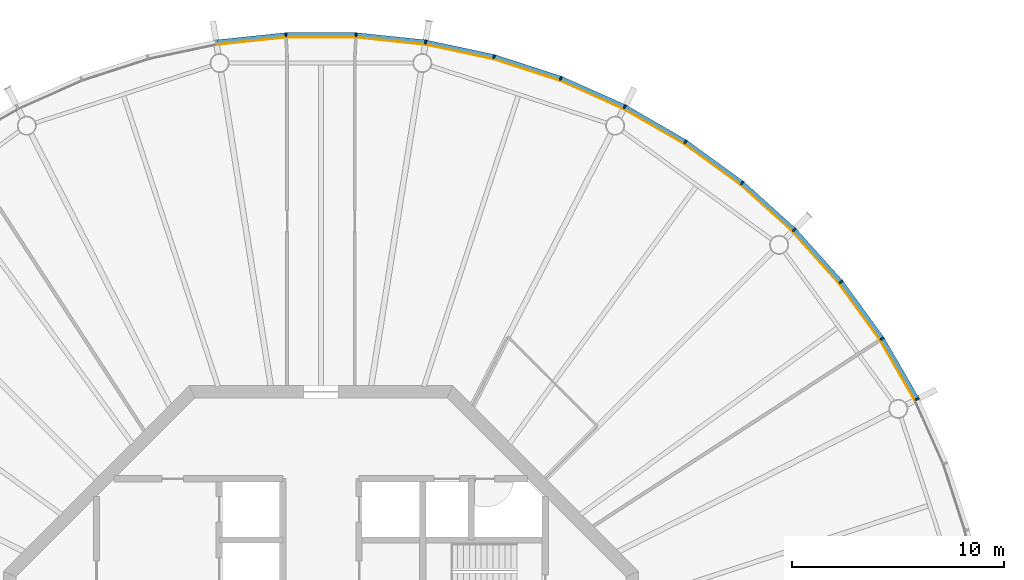
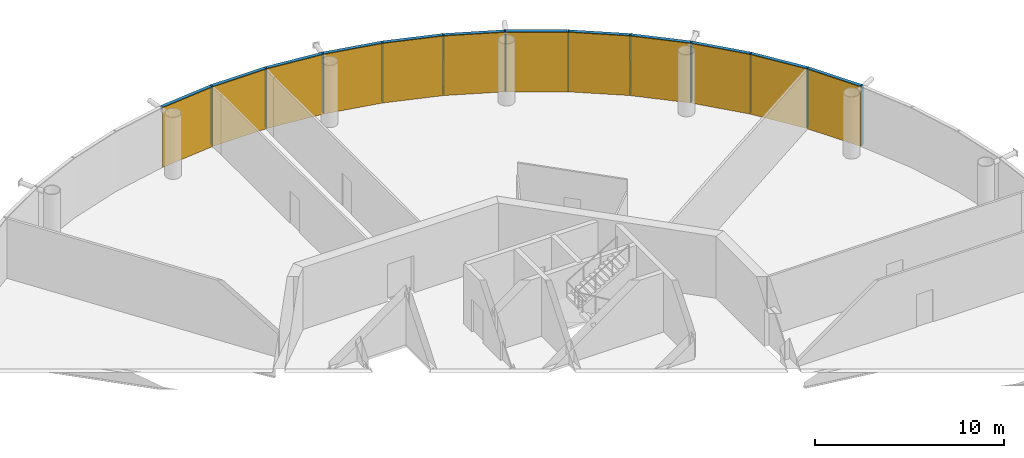
# One storey, part 18 of 19: 24 members, 4 curtain walls.
"""IFC4 building model written with IfcOpenShell, lengths in metres."""

import ifcopenshell
import ifcopenshell.guid

model = None  # the IFC model being written
_history = None  # IfcOwnerHistory: only IFC2X3 demands one
_inside = {}  # id of a spatial element -> (the spatial element, [elements in it])
_under = {}  # id of a project, library or spatial element -> (it, [spatial elements below it])
_declared = {}  # id of a project -> (the project, [libraries it declares])
_typed = {}  # id of a type object -> (the type object, [elements of that type])
_made_of = {}  # id of a material, layer set ... -> (it, [elements and type objects made of it])


def new_model(schema):
    """Start an empty IFC model of exactly this schema.

    Asked for "IFC4X3", IfcOpenShell would pick the latest addendum, in which some entities
    have other attributes; the version numbers below select the first issue.
    IFC2X3 requires an IfcOwnerHistory on every rooted entity: one is made here for all.
    """
    global model, _history
    if schema == "IFC4X3":
        model = ifcopenshell.file(schema_version=(4, 3, 0, 0))
    else:
        model = ifcopenshell.file(schema=schema)
    _inside.clear()
    _under.clear()
    _declared.clear()
    _typed.clear()
    _made_of.clear()
    _history = None
    if model.schema == "IFC2X3":
        org = make("IfcOrganization", Name="unknown")
        user = make(
            "IfcPersonAndOrganization",
            ThePerson=make("IfcPerson", FamilyName="unknown"),
            TheOrganization=org,
        )
        app = make(
            "IfcApplication",
            ApplicationDeveloper=org,
            Version="unknown",
            ApplicationFullName="unknown",
            ApplicationIdentifier="unknown",
        )
        _history = make(
            "IfcOwnerHistory",
            OwningUser=user,
            OwningApplication=app,
            ChangeAction="ADDED",
            CreationDate=0,
        )
    return model


def make(cls, **values):
    """One entity of the class cls with the attributes given. An attribute that is None is left unset."""
    return model.create_entity(
        cls, **{name: value for name, value in values.items() if value is not None}
    )


def rooted(cls, **values):
    """An entity with a GlobalId (a new one), such as an element, a storey or a relation."""
    return make(cls, GlobalId=ifcopenshell.guid.new(), OwnerHistory=_history, **values)


def si_unit(unit_type, name, prefix=None):
    """IfcSIUnit, for example si_unit("LENGTHUNIT", "METRE", prefix="MILLI")."""
    return make("IfcSIUnit", UnitType=unit_type, Prefix=prefix, Name=name)


def assignment(units):
    """IfcUnitAssignment: the units of a project."""
    return None if units is None else make("IfcUnitAssignment", Units=units)


def point(xyz):
    """IfcCartesianPoint."""
    return None if xyz is None else make("IfcCartesianPoint", Coordinates=xyz)


def direction(xyz):
    """IfcDirection."""
    return None if xyz is None else make("IfcDirection", DirectionRatios=xyz)


def frame(location, z_axis=None, x_axis=None):
    """IfcAxis2Placement3D, a coordinate frame: its origin and axes. An axis left out is left unset."""
    return make(
        "IfcAxis2Placement3D",
        Location=point(location),
        Axis=direction(z_axis),
        RefDirection=direction(x_axis),
    )


def frame_2d(location, x_axis=None):
    """IfcAxis2Placement2D, a coordinate frame in the plane: its origin and x axis."""
    return make(
        "IfcAxis2Placement2D", Location=point(location), RefDirection=direction(x_axis)
    )


def origin():
    """The frame at (0, 0, 0) with its axes left unset."""
    return frame((0.0, 0.0, 0.0))


def origin_2d():
    """The frame at (0, 0) in the plane with its x axis left unset."""
    return frame_2d((0.0, 0.0))


def place(relative_to, where):
    """IfcLocalPlacement: puts the frame where relative to a parent placement (None: the world)."""
    return make(
        "IfcLocalPlacement", PlacementRelTo=relative_to, RelativePlacement=where
    )


def context(
    kind, dimensions, precision=None, world=None, true_north=None, identifier=None
):
    """IfcGeometricRepresentationContext, for example the 3D "Model" context."""
    return make(
        "IfcGeometricRepresentationContext",
        ContextIdentifier=identifier,
        ContextType=kind,
        CoordinateSpaceDimension=dimensions,
        Precision=precision,
        WorldCoordinateSystem=world,
        TrueNorth=true_north,
    )


def subcontext(parent, identifier, kind, view, scale=None):
    """IfcGeometricRepresentationSubContext, for example "Body" below "Model"."""
    return make(
        "IfcGeometricRepresentationSubContext",
        ContextIdentifier=identifier,
        ContextType=kind,
        ParentContext=parent,
        TargetScale=scale,
        TargetView=view,
    )


def project(units=None, contexts=None):
    """IfcProject with its units and contexts."""
    return rooted(
        "IfcProject",
        Name="project",
        RepresentationContexts=contexts,
        UnitsInContext=assignment(units),
    )


def spatial(cls, under=None, at=None, **own):
    """A site, building, storey or space (cls), placed at a placement, below another one or the project."""
    s = rooted(cls, ObjectPlacement=at, **own)
    if under is not None:
        _under.setdefault(under.id(), (under, []))[1].append(s)
    return s


def polyline(points):
    """IfcPolyline through the points."""
    return make("IfcPolyline", Points=[point(p) for p in points])


def profile(cls, at=None, kind="AREA", **sizes):
    """A parametric profile (cls). Its sizes go by their IFC names, for example OverallWidth=200.0."""
    return make(cls, ProfileType=kind, Position=at, **sizes)


def rectangle(**sizes):
    """IfcRectangleProfileDef."""
    return profile("IfcRectangleProfileDef", **sizes)


def outline(outer, holes=None, kind="AREA"):
    """IfcArbitraryClosedProfileDef: a profile drawn as a closed curve; with holes, ...WithVoids."""
    if holes is None:
        return make("IfcArbitraryClosedProfileDef", ProfileType=kind, OuterCurve=outer)
    return make(
        "IfcArbitraryProfileDefWithVoids",
        ProfileType=kind,
        OuterCurve=outer,
        InnerCurves=holes,
    )


def extrude(swept, where, along, depth):
    """IfcExtrudedAreaSolid: the profile swept, set in the frame where, extruded along a direction by depth."""
    return make(
        "IfcExtrudedAreaSolid",
        SweptArea=swept,
        Position=where,
        ExtrudedDirection=direction(along),
        Depth=depth,
    )


def shape(context_of_items, identifier, shape_type, items):
    """IfcShapeRepresentation: the items that make up one representation, for example the "Body"."""
    return make(
        "IfcShapeRepresentation",
        ContextOfItems=context_of_items,
        RepresentationIdentifier=identifier,
        RepresentationType=shape_type,
        Items=items,
    )


def material(Name=None, Category=None):
    """IfcMaterial."""
    return make("IfcMaterial", Name=Name, Category=Category)


def layer(
    of_material, thickness, ventilated=None, Name=None, Category=None, Priority=None
):
    """IfcMaterialLayer: one layer of a wall or slab, of a material (None: an air gap)."""
    return make(
        "IfcMaterialLayer",
        Material=of_material,
        LayerThickness=thickness,
        IsVentilated=ventilated,
        Name=Name,
        Category=Category,
        Priority=Priority,
    )


def layer_set(layers, Name=None):
    """IfcMaterialLayerSet."""
    return make("IfcMaterialLayerSet", MaterialLayers=layers, LayerSetName=Name)


def material_profile(
    of_material, cross_section, Name=None, Category=None, Priority=None
):
    """IfcMaterialProfile: a cross section and its material."""
    return make(
        "IfcMaterialProfile",
        Name=Name,
        Material=of_material,
        Profile=cross_section,
        Priority=Priority,
        Category=Category,
    )


def profile_set(profiles, Name=None, composite=None):
    """IfcMaterialProfileSet."""
    return make(
        "IfcMaterialProfileSet",
        Name=Name,
        MaterialProfiles=profiles,
        CompositeProfile=composite,
    )


def made_of(thing, what):
    """Note that an element or type object is made of a material, layer set ...; save() writes the relation."""
    if what is not None:
        _made_of.setdefault(what.id(), (what, []))[1].append(thing)
    return thing


def type_object(cls, material=None, **own):
    """A type object (cls), such as IfcWallType, which elements share."""
    return made_of(rooted(cls, **own), material)


def element(
    cls,
    number,
    at=None,
    inside=None,
    cuts=None,
    type_object=None,
    material=None,
    context=None,
    identifier="Body",
    shape_type=None,
    held_by="IfcProductDefinitionShape",
    body=None,
    shapes=None,
    **own,
):
    """One element of the class cls, such as IfcWall. Its Tag is "e" and its number.

    at: its placement. inside: the storey or other place that contains it. cuts: it is an
    opening in that element (IfcRelVoidsElement). A single representation is given by context,
    identifier, shape_type and body (its items); several are given by shapes. held_by: the class
    of the entity that holds the representations. save() writes the other relations.
    """
    e = rooted(cls, Tag="e%d" % number, ObjectPlacement=at, **own)
    if body is not None:
        shapes = [shape(context, identifier, shape_type, body)]
    if shapes is not None:
        e.Representation = make(held_by, Representations=shapes)
    if inside is not None:
        _inside.setdefault(inside.id(), (inside, []))[1].append(e)
    if cuts is not None:
        rooted(
            "IfcRelVoidsElement", RelatingBuildingElement=cuts, RelatedOpeningElement=e
        )
    if type_object is not None:
        _typed.setdefault(type_object.id(), (type_object, []))[1].append(e)
    return made_of(e, material)


def aggregate(whole, parts):
    """IfcRelAggregates: a whole, such as a stair, and the parts it consists of."""
    return rooted("IfcRelAggregates", RelatingObject=whole, RelatedObjects=parts)


def save(model, path):
    """Write the relations noted so far, then the file.

    IfcRelAggregates (storeys below a building ...), IfcRelContainedInSpatialStructure (elements
    in a storey), IfcRelDefinesByType, IfcRelAssociatesMaterial and IfcRelDeclares: one each for
    every whole, place, type object, material and project.
    """
    for whole, parts in _under.values():
        aggregate(whole, parts)
    for where, things in _inside.values():
        rooted(
            "IfcRelContainedInSpatialStructure",
            RelatedElements=things,
            RelatingStructure=where,
        )
    for kind, things in _typed.values():
        rooted("IfcRelDefinesByType", RelatedObjects=things, RelatingType=kind)
    for what, things in _made_of.values():
        rooted("IfcRelAssociatesMaterial", RelatedObjects=things, RelatingMaterial=what)
    for by, libraries in _declared.values():
        rooted("IfcRelDeclares", RelatingContext=by, RelatedDefinitions=libraries)
    model.write(path)


model = new_model("IFC4")

# Units and contexts
model_context = context("Model", 3, precision=1e-05, world=origin(), true_north=direction((0.0, 1.0)))
body_context = subcontext(model_context, "Body", "Model", "MODEL_VIEW")
ifc_project = project(units=[si_unit("LENGTHUNIT", "METRE"), si_unit("AREAUNIT", "SQUARE_METRE"), si_unit("VOLUMEUNIT", "CUBIC_METRE"), si_unit("PLANEANGLEUNIT", "RADIAN"), si_unit("MASSUNIT", "GRAM", prefix="KILO")], contexts=[model_context])

# Member
ifc_material_1 = material(Name="Anodised aluminium", Category="aluminium")
ifc_material_profile_1 = material_profile(ifc_material_1, rectangle(XDim=0.070068359375, YDim=0.205078125, at=origin_2d()), Name="Mullion 70 x 205 mm anodised aluminium")
ifc_profile_set_1 = profile_set([ifc_material_profile_1], Name="Anodised aluminium")
member_type_1 = type_object("IfcMemberType", Name="Mullion 70 x 205 mm anodised aluminium", PredefinedType="MULLION", material=ifc_profile_set_1)
site_placement = place(None, origin())
building_placement = place(site_placement, origin())
storey_placement = place(building_placement, frame((0.0, 0.0, 368.0)))
member_1_placement = place(storey_placement, frame((118.157958984375, 94.34716796875, 0.0), z_axis=(0.0, 0.0, 1.0), x_axis=(-0.45399049974, 0.891006524188, 0.0)))
member_1 = element("IfcMember", 1, at=member_1_placement, type_object=member_type_1, Name="MULLION L85-03", PredefinedType="MULLION", context=body_context, shape_type="SweptSolid", body=[
    extrude(rectangle(XDim=0.070068359375, YDim=0.205078125, at=origin_2d()), origin(), (0.0, 0.0, 1.0), 3.85009765625),
])

member_2_placement = place(storey_placement, frame((116.504150390625, 97.2119140625, 0.0), z_axis=(0.0, 0.0, 1.0), x_axis=(-0.544639035015, 0.838670567945, 0.0)))
member_2 = element("IfcMember", 2, at=member_2_placement, type_object=member_type_1, Name="MULLION L85-04", PredefinedType="MULLION", context=body_context, shape_type="SweptSolid", body=[
    extrude(rectangle(XDim=0.070068359375, YDim=0.205078125, at=origin_2d()), origin(), (0.0, 0.0, 1.0), 3.85009765625),
])

member_3_placement = place(storey_placement, frame((114.559814453125, 99.88818359375, 0.0), z_axis=(0.0, 0.0, 1.0), x_axis=(-0.62932039105, 0.777145961457, 0.0)))
member_3 = element("IfcMember", 3, at=member_3_placement, type_object=member_type_1, Name="MULLION L85-05", PredefinedType="MULLION", context=body_context, shape_type="SweptSolid", body=[
    extrude(rectangle(XDim=0.070068359375, YDim=0.205078125, at=origin_2d()), origin(), (0.0, 0.0, 1.0), 3.85009765625),
])

member_4_placement = place(storey_placement, frame((112.346435546875, 102.346435546875, 0.0), z_axis=(0.0, 0.0, 1.0), x_axis=(-0.707106781187, 0.707106781187, 0.0)))
member_4 = element("IfcMember", 4, at=member_4_placement, type_object=member_type_1, Name="MULLION L85-06", PredefinedType="MULLION", context=body_context, shape_type="SweptSolid", body=[
    extrude(rectangle(XDim=0.070068359375, YDim=0.205078125, at=origin_2d()), origin(), (0.0, 0.0, 1.0), 3.85009765625),
])

member_5_placement = place(storey_placement, frame((109.88818359375, 104.559814453125, 0.0), z_axis=(0.0, 0.0, 1.0), x_axis=(-0.777145961457, 0.62932039105, 0.0)))
member_5 = element("IfcMember", 5, at=member_5_placement, type_object=member_type_1, Name="MULLION L85-07", PredefinedType="MULLION", context=body_context, shape_type="SweptSolid", body=[
    extrude(rectangle(XDim=0.070068359375, YDim=0.205078125, at=origin_2d()), origin(), (0.0, 0.0, 1.0), 3.85009765625),
])

member_6_placement = place(storey_placement, frame((107.2119140625, 106.504150390625, 0.0), z_axis=(0.0, 0.0, 1.0), x_axis=(-0.838670567945, 0.544639035015, 0.0)))
member_6 = element("IfcMember", 6, at=member_6_placement, type_object=member_type_1, Name="MULLION L85-08", PredefinedType="MULLION", context=body_context, shape_type="SweptSolid", body=[
    extrude(rectangle(XDim=0.070068359375, YDim=0.205078125, at=origin_2d()), origin(), (0.0, 0.0, 1.0), 3.85009765625),
])

member_7_placement = place(storey_placement, frame((104.34716796875, 108.157958984375, 0.0), z_axis=(0.0, 0.0, 1.0), x_axis=(-0.891006524188, 0.45399049974, 0.0)))
member_7 = element("IfcMember", 7, at=member_7_placement, type_object=member_type_1, Name="MULLION L85-09", PredefinedType="MULLION", context=body_context, shape_type="SweptSolid", body=[
    extrude(rectangle(XDim=0.070068359375, YDim=0.205078125, at=origin_2d()), origin(), (0.0, 0.0, 1.0), 3.85009765625),
])

member_8_placement = place(storey_placement, frame((101.325439453125, 109.50341796875, 0.0), z_axis=(0.0, 0.0, 1.0), x_axis=(-0.933580426497, 0.358367949545, 0.0)))
member_8 = element("IfcMember", 8, at=member_8_placement, type_object=member_type_1, Name="MULLION L85-10", PredefinedType="MULLION", context=body_context, shape_type="SweptSolid", body=[
    extrude(rectangle(XDim=0.070068359375, YDim=0.205078125, at=origin_2d()), origin(), (0.0, 0.0, 1.0), 3.85009765625),
])

member_9_placement = place(storey_placement, frame((98.179443359375, 110.525634765625, 0.0), z_axis=(0.0, 0.0, 1.0), x_axis=(-0.965925826289, 0.258819045103, 0.0)))
member_9 = element("IfcMember", 9, at=member_9_placement, type_object=member_type_1, Name="MULLION L85-11", PredefinedType="MULLION", context=body_context, shape_type="SweptSolid", body=[
    extrude(rectangle(XDim=0.070068359375, YDim=0.205078125, at=origin_2d()), origin(), (0.0, 0.0, 1.0), 3.85009765625),
])

member_10_placement = place(storey_placement, frame((94.943603515625, 111.21337890625, 0.0), z_axis=(0.0, 0.0, 1.0), x_axis=(-0.987688340595, 0.15643446504, 0.0)))
member_10 = element("IfcMember", 10, at=member_10_placement, type_object=member_type_1, Name="MULLION L85-12", PredefinedType="MULLION", context=body_context, shape_type="SweptSolid", body=[
    extrude(rectangle(XDim=0.070068359375, YDim=0.205078125, at=origin_2d()), origin(), (0.0, 0.0, 1.0), 3.85009765625),
])

member_11_placement = place(storey_placement, frame((91.654052734375, 111.55908203125, 0.0), z_axis=(0.0, 0.0, 1.0), x_axis=(-0.998629534755, 0.052335956243, 0.0)))
member_11 = element("IfcMember", 11, at=member_11_placement, type_object=member_type_1, Name="MULLION L85-13", PredefinedType="MULLION", context=body_context, shape_type="SweptSolid", body=[
    extrude(rectangle(XDim=0.070068359375, YDim=0.205078125, at=origin_2d()), origin(), (0.0, 0.0, 1.0), 3.85009765625),
])

member_12_placement = place(storey_placement, frame((88.345947265625, 111.55908203125, 0.0), z_axis=(0.0, 0.0, 1.0), x_axis=(-0.998629534755, -0.052335956243, 0.0)))
member_12 = element("IfcMember", 12, at=member_12_placement, type_object=member_type_1, Name="MULLION L85-14", PredefinedType="MULLION", context=body_context, shape_type="SweptSolid", body=[
    extrude(rectangle(XDim=0.070068359375, YDim=0.205078125, at=origin_2d()), origin(), (0.0, 0.0, 1.0), 3.85009765625),
])

ifc_material_2 = material(Name="Anodised aluminium", Category="aluminium")
ifc_material_profile_2 = material_profile(ifc_material_2, rectangle(XDim=0.205078125, YDim=0.195068359375, at=origin_2d()), Name="Transom 195 x 205 mm anodised aluminium")
ifc_profile_set_2 = profile_set([ifc_material_profile_2], Name="Anodised aluminium")
member_type_2 = type_object("IfcMemberType", Name="Transom 195 x 205 mm anodised aluminium", PredefinedType="USERDEFINED", material=ifc_profile_set_2)
member_13_placement = place(storey_placement, frame((118.137939453125, 94.38232421875, 3.75244140625), z_axis=(-0.500004055213, 0.866023062494, 0.0), x_axis=(-0.866023062494, -0.500004055213, 0.0)))
member_13 = element("IfcMember", 13, at=member_13_placement, type_object=member_type_2, Name="TRANSOM L85-03", ObjectType="TRANSOM", PredefinedType="USERDEFINED", context=body_context, shape_type="SweptSolid", body=[
    extrude(rectangle(XDim=0.205078125, YDim=0.195068359375, at=origin_2d()), origin(), (0.0, 0.0, 1.0), 3.22705078125),
])

member_14_placement = place(storey_placement, frame((116.48046875, 97.24462890625, 3.75244140625), z_axis=(-0.587802790201, 0.809004252048, 0.0), x_axis=(-0.809004252048, -0.587802790201, 0.0)))
member_14 = element("IfcMember", 14, at=member_14_placement, type_object=member_type_2, Name="TRANSOM L85-04", ObjectType="TRANSOM", PredefinedType="USERDEFINED", context=body_context, shape_type="SweptSolid", body=[
    extrude(rectangle(XDim=0.205078125, YDim=0.195068359375, at=origin_2d()), origin(), (0.0, 0.0, 1.0), 3.227294921875),
])

member_15_placement = place(storey_placement, frame((114.532958984375, 99.918212890625, 3.75244140625), z_axis=(-0.669144438484, 0.743132370743, 0.0), x_axis=(-0.743132370743, -0.669144438484, 0.0)))
member_15 = element("IfcMember", 15, at=member_15_placement, type_object=member_type_2, Name="TRANSOM L85-05", ObjectType="TRANSOM", PredefinedType="USERDEFINED", context=body_context, shape_type="SweptSolid", body=[
    extrude(rectangle(XDim=0.205078125, YDim=0.195068359375, at=origin_2d()), origin(), (0.0, 0.0, 1.0), 3.22705078125),
])

member_16_placement = place(storey_placement, frame((112.31640625, 102.37353515625, 3.75244140625), z_axis=(-0.743132370743, 0.669144438484, 0.0), x_axis=(-0.669144438484, -0.743132370743, 0.0)))
member_16 = element("IfcMember", 16, at=member_16_placement, type_object=member_type_2, Name="TRANSOM L85-06", ObjectType="TRANSOM", PredefinedType="USERDEFINED", context=body_context, shape_type="SweptSolid", body=[
    extrude(rectangle(XDim=0.205078125, YDim=0.195068359375, at=origin_2d()), origin(), (0.0, 0.0, 1.0), 3.22705078125),
])

member_17_placement = place(storey_placement, frame((109.85546875, 104.58349609375, 3.75244140625), z_axis=(-0.809004252048, 0.587802790201, 0.0), x_axis=(-0.587802790201, -0.809004252048, 0.0)))
member_17 = element("IfcMember", 17, at=member_17_placement, type_object=member_type_2, Name="TRANSOM L85-07", ObjectType="TRANSOM", PredefinedType="USERDEFINED", context=body_context, shape_type="SweptSolid", body=[
    extrude(rectangle(XDim=0.205078125, YDim=0.195068359375, at=origin_2d()), origin(), (0.0, 0.0, 1.0), 3.227294921875),
])

member_18_placement = place(storey_placement, frame((107.177001953125, 106.5244140625, 3.75244140625), z_axis=(-0.866023062494, 0.500004055213, 0.0), x_axis=(-0.500004055213, -0.866023062494, 0.0)))
member_18 = element("IfcMember", 18, at=member_18_placement, type_object=member_type_2, Name="TRANSOM L85-08", ObjectType="TRANSOM", PredefinedType="USERDEFINED", context=body_context, shape_type="SweptSolid", body=[
    extrude(rectangle(XDim=0.205078125, YDim=0.195068359375, at=origin_2d()), origin(), (0.0, 0.0, 1.0), 3.22705078125),
])

member_19_placement = place(storey_placement, frame((104.310302734375, 108.174560546875, 3.75244140625), z_axis=(-0.913521178731, 0.406791170024, 0.0), x_axis=(-0.406791170024, -0.913521178731, 0.0)))
member_19 = element("IfcMember", 19, at=member_19_placement, type_object=member_type_2, Name="TRANSOM L85-09", ObjectType="TRANSOM", PredefinedType="USERDEFINED", context=body_context, shape_type="SweptSolid", body=[
    extrude(rectangle(XDim=0.205078125, YDim=0.195068359375, at=origin_2d()), origin(), (0.0, 0.0, 1.0), 3.22705078125),
])

member_20_placement = place(storey_placement, frame((101.286865234375, 109.51611328125, 3.75244140625), z_axis=(-0.951046855117, 0.309046726844, 0.0), x_axis=(-0.309046726844, -0.951046855117, 0.0)))
member_20 = element("IfcMember", 20, at=member_20_placement, type_object=member_type_2, Name="TRANSOM L85-10", ObjectType="TRANSOM", PredefinedType="USERDEFINED", context=body_context, shape_type="SweptSolid", body=[
    extrude(rectangle(XDim=0.205078125, YDim=0.195068359375, at=origin_2d()), origin(), (0.0, 0.0, 1.0), 3.22705078125),
])

member_21_placement = place(storey_placement, frame((98.139892578125, 110.5341796875, 3.75244140625), z_axis=(-0.978153082647, 0.207885898771, 0.0), x_axis=(-0.207885898771, -0.978153082647, 0.0)))
member_21 = element("IfcMember", 21, at=member_21_placement, type_object=member_type_2, Name="TRANSOM L85-11", ObjectType="TRANSOM", PredefinedType="USERDEFINED", context=body_context, shape_type="SweptSolid", body=[
    extrude(rectangle(XDim=0.205078125, YDim=0.195068359375, at=origin_2d()), origin(), (0.0, 0.0, 1.0), 3.227294921875),
])

member_22_placement = place(storey_placement, frame((94.903564453125, 111.2177734375, 3.75244140625), z_axis=(-0.994519537956, 0.104550890115, 0.0), x_axis=(-0.104550890115, -0.994519537956, 0.0)))
member_22 = element("IfcMember", 22, at=member_22_placement, type_object=member_type_2, Name="TRANSOM L85-12", ObjectType="TRANSOM", PredefinedType="USERDEFINED", context=body_context, shape_type="SweptSolid", body=[
    extrude(rectangle(XDim=0.205078125, YDim=0.195068359375, at=origin_2d()), origin(), (0.0, 0.0, 1.0), 3.22705078125),
])

member_23_placement = place(storey_placement, frame((91.613525390625, 111.559326171875, 3.75244140625), z_axis=(-1.0, 0.0, 0.0), x_axis=(0.0, -1.0, 0.0)))
member_23 = element("IfcMember", 23, at=member_23_placement, type_object=member_type_2, Name="TRANSOM L85-13", ObjectType="TRANSOM", PredefinedType="USERDEFINED", context=body_context, shape_type="SweptSolid", body=[
    extrude(rectangle(XDim=0.205078125, YDim=0.195068359375, at=origin_2d()), origin(), (0.0, 0.0, 1.0), 3.22705078125),
])

member_24_placement = place(storey_placement, frame((88.305908203125, 111.55517578125, 3.75244140625), z_axis=(-0.994519537956, -0.104550890115, 0.0), x_axis=(0.104550890115, -0.994519537956, 0.0)))
member_24 = element("IfcMember", 24, at=member_24_placement, type_object=member_type_2, Name="TRANSOM L85-14", ObjectType="TRANSOM", PredefinedType="USERDEFINED", context=body_context, shape_type="SweptSolid", body=[
    extrude(rectangle(XDim=0.205078125, YDim=0.195068359375, at=origin_2d()), origin(), (0.0, 0.0, 1.0), 3.22705078125),
])

# Site, building, storey
site = spatial("IfcSite", under=ifc_project, at=site_placement, CompositionType="ELEMENT")
building = spatial("IfcBuilding", under=site, at=building_placement, Name="Entoto Ring Tower", CompositionType="ELEMENT")
storey = spatial("IfcBuildingStorey", under=building, at=storey_placement, Name="L85", CompositionType="ELEMENT", Elevation=368.0)

# Curtain wall
ifc_material_3 = material(Name="Clear low-iron glass", Category="glass")
ifc_layer = layer(ifc_material_3, 0.035888671875)
ifc_layer_set = layer_set([ifc_layer], Name="Clear low-iron glass")
curtain_wall_type = type_object("IfcCurtainWallType", Name="Curtain wall system CW6 glazing 36 mm", PredefinedType="NOTDEFINED", material=ifc_layer_set)
curtain_wall_1_placement = place(storey_placement, origin())
curtain_wall_1 = element("IfcCurtainWall", 25, at=curtain_wall_1_placement, inside=storey, type_object=curtain_wall_type, Name="CW6 L85-02", PredefinedType="NOTDEFINED", context=body_context, shape_type="SweptSolid", body=[
    extrude(outline(polyline([(118.066650390625, 94.30078125), (116.418212890625, 97.15625), (114.47998046875, 99.823486328125), (112.27392578125, 102.27392578125), (112.248291015625, 102.248291015625), (114.4521484375, 99.801025390625), (116.387939453125, 97.136474609375), (118.03466796875, 94.284423828125), (118.066650390625, 94.30078125)])), origin(), (0.0, 0.0, 1.0), 3.85009765625),
])

aggregate(curtain_wall_1, [member_1, member_2, member_3, member_13, member_14, member_15])

curtain_wall_2_placement = place(storey_placement, origin())
curtain_wall_2 = element("IfcCurtainWall", 26, at=curtain_wall_2_placement, inside=storey, type_object=curtain_wall_type, Name="CW6 L85-03", PredefinedType="NOTDEFINED", context=body_context, shape_type="SweptSolid", body=[
    extrude(outline(polyline([(112.27392578125, 102.27392578125), (109.823486328125, 104.47998046875), (107.15625, 106.418212890625), (104.30078125, 108.066650390625), (104.284423828125, 108.03466796875), (107.136474609375, 106.387939453125), (109.801025390625, 104.4521484375), (112.248291015625, 102.248291015625), (112.27392578125, 102.27392578125)])), origin(), (0.0, 0.0, 1.0), 3.85009765625),
])

aggregate(curtain_wall_2, [member_4, member_5, member_6, member_16, member_17, member_18])

curtain_wall_3_placement = place(storey_placement, origin())
curtain_wall_3 = element("IfcCurtainWall", 27, at=curtain_wall_3_placement, inside=storey, type_object=curtain_wall_type, Name="CW6 L85-04", PredefinedType="NOTDEFINED", context=body_context, shape_type="SweptSolid", body=[
    extrude(outline(polyline([(104.30078125, 108.066650390625), (101.28857421875, 109.40771484375), (98.15283203125, 110.4267578125), (94.927734375, 111.1123046875), (94.922119140625, 111.07666015625), (98.1435546875, 110.391845703125), (101.275634765625, 109.3740234375), (104.284423828125, 108.03466796875), (104.30078125, 108.066650390625)])), origin(), (0.0, 0.0, 1.0), 3.85009765625),
])

aggregate(curtain_wall_3, [member_7, member_8, member_9, member_19, member_20, member_21])

curtain_wall_4_placement = place(storey_placement, origin())
curtain_wall_4 = element("IfcCurtainWall", 28, at=curtain_wall_4_placement, inside=storey, type_object=curtain_wall_type, Name="CW6 L85-05", PredefinedType="NOTDEFINED", context=body_context, shape_type="SweptSolid", body=[
    extrude(outline(polyline([(94.927734375, 111.1123046875), (91.648681640625, 111.456787109375), (88.351318359375, 111.456787109375), (85.072265625, 111.1123046875), (85.077880859375, 111.07666015625), (88.353271484375, 111.4208984375), (91.646728515625, 111.4208984375), (94.922119140625, 111.07666015625), (94.927734375, 111.1123046875)])), origin(), (0.0, 0.0, 1.0), 3.85009765625),
])

aggregate(curtain_wall_4, [member_10, member_11, member_12, member_22, member_23, member_24])

save(model, "model.ifc")
